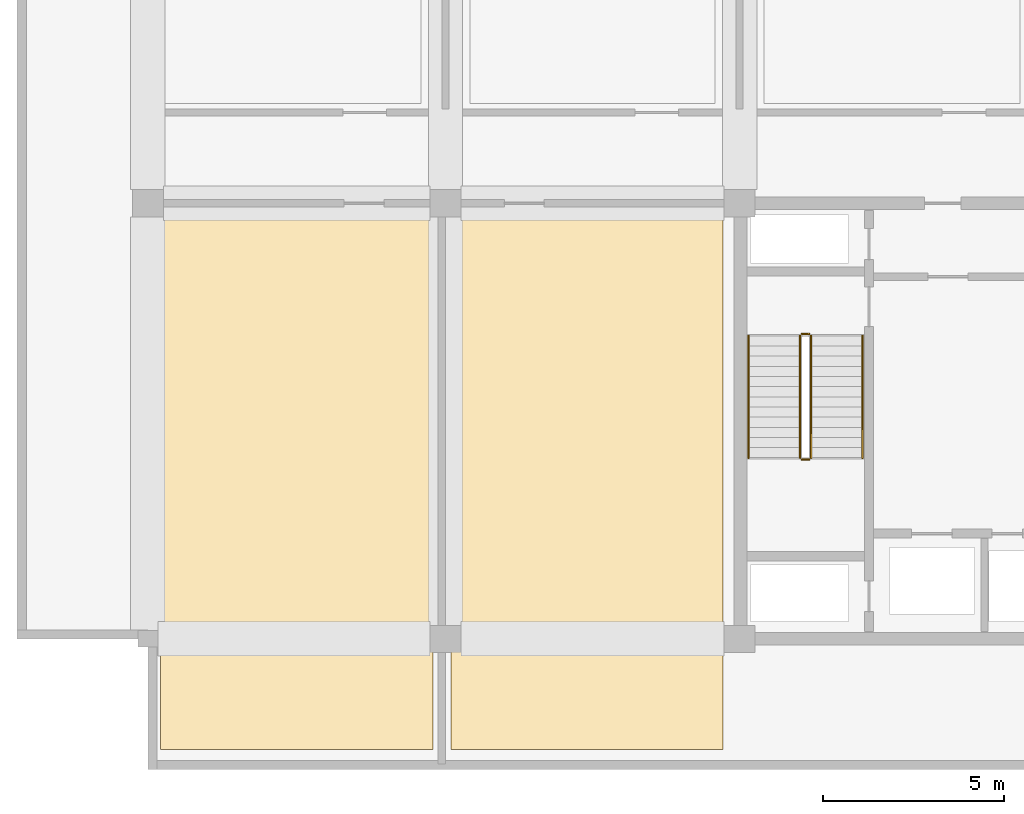
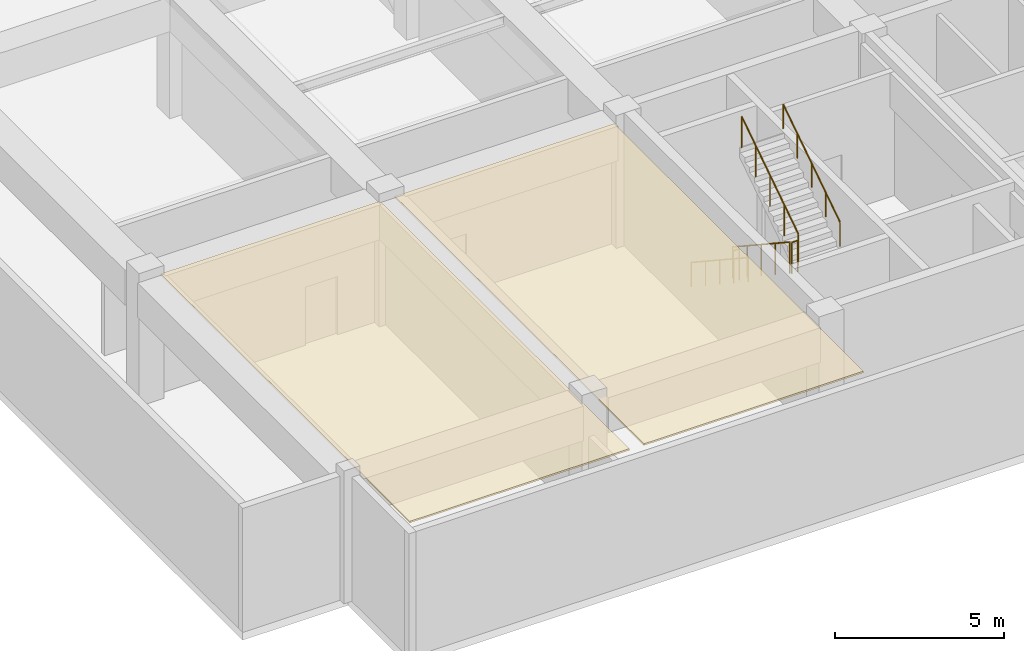
# One storey, part 8 of 11: 6 railings, 2 coverings.
"""IFC4 building model written with IfcOpenShell, lengths in metres."""

from ifc_helpers import new_model, si_unit, direction, frame, origin, origin_2d, place, context, subcontext, project, spatial, polyline, circle, outline, extrude, material, layer, layer_set, type_object, element, save


model = new_model("IFC4")

# Units and contexts
model_context = context("Model", 3, precision=1e-05, world=origin(), true_north=direction((0.0, 1.0)))
body_context = subcontext(model_context, "Body", "Model", "MODEL_VIEW")
ifc_project = project(units=[si_unit("LENGTHUNIT", "METRE"), si_unit("AREAUNIT", "SQUARE_METRE"), si_unit("VOLUMEUNIT", "CUBIC_METRE"), si_unit("PLANEANGLEUNIT", "RADIAN"), si_unit("MASSUNIT", "GRAM", prefix="KILO")], contexts=[model_context])

# Site, building, storey
site_placement = place(None, origin())
site = spatial("IfcSite", under=ifc_project, at=site_placement, CompositionType="ELEMENT")
building_placement = place(site_placement, origin())
building = spatial("IfcBuilding", under=site, at=building_placement, Name="Korimba Cascade Residences", CompositionType="ELEMENT")
storey_placement = place(building_placement, frame((0.0, 0.0, 223.85009765625)))
storey = spatial("IfcBuildingStorey", under=building, at=storey_placement, Name="L65", CompositionType="ELEMENT", Elevation=223.85009765625)

# Coverings
ifc_material_1 = material(Name="Mineral Wool Thermal Acoustic Insulation", Category="insulation")
ifc_layer = layer(ifc_material_1, 0.06005859375)
ifc_layer_set = layer_set([ifc_layer], Name="Mineral Wool Thermal Acoustic Insulation")
covering_type = type_object("IfcCoveringType", Name="COV-INS-60", PredefinedType="INSULATION", material=ifc_layer_set)
covering_1_placement = place(storey_placement, frame((0.0, 0.0, 4.419921875)))
element("IfcCovering", 1, at=covering_1_placement, inside=storey, type_object=covering_type, Name="L65 Mineral Wool Acoustic Soffit Insulation L65-RWW1", PredefinedType="INSULATION", context=body_context, shape_type="SweptSolid", body=[
    extrude(outline(polyline([(60.14990234375, 52.14990234375), (67.64990234375, 52.14990234375), (67.64990234375, 66.89990234375), (60.14990234375, 66.89990234375), (60.14990234375, 52.14990234375)])), origin(), (0.0, 0.0, 1.0), 0.06005859375),
])
covering_2_placement = place(storey_placement, frame((0.0, 0.0, 4.419921875)))
element("IfcCovering", 2, at=covering_2_placement, inside=storey, type_object=covering_type, Name="L65 Mineral Wool Acoustic Soffit Insulation L65-RWW2", PredefinedType="INSULATION", context=body_context, shape_type="SweptSolid", body=[
    extrude(outline(polyline([(68.14990234375, 52.14990234375), (75.64990234375, 52.14990234375), (75.64990234375, 66.89990234375), (68.14990234375, 66.89990234375), (68.14990234375, 52.14990234375)])), origin(), (0.0, 0.0, 1.0), 0.06005859375),
])

# Railings
ifc_material_2 = material(Name="Painted Steel Stairwell Guardrail", Category="steel")
railing_type_1 = type_object("IfcRailingType", Name="RLG-ST-GD1150", PredefinedType="GUARDRAIL", material=ifc_material_2)
railing_1_placement = place(storey_placement, frame((77.77001953125, 63.550048828125, 0.1845703125)))
element("IfcRailing", 3, at=railing_1_placement, inside=storey, type_object=railing_type_1, Name="L65 ST-W1 stair guard 1", PredefinedType="GUARDRAIL", context=body_context, shape_type="SweptSolid", body=[
    extrude(circle(Radius=0.02392578125, at=origin_2d()), frame((0.0, 0.0, 1.1259765625), z_axis=(0.0, -0.834876476806, 0.550437342915), x_axis=(1.0, 0.0, 0.0)), (0.0, 0.0, 1.0), 4.024658203125),
    extrude(circle(Radius=0.02099609375, at=origin_2d()), origin(), (0.0, 0.0, 1.0), 1.101806640625),
    extrude(circle(Radius=0.02099609375, at=origin_2d()), frame((0.0, -0.840087890625, 0.5537109375)), (0.0, 0.0, 1.0), 1.101806640625),
    extrude(circle(Radius=0.02099609375, at=origin_2d()), frame((0.0, -1.68017578125, 1.107666015625)), (0.0, 0.0, 1.0), 1.101806640625),
    extrude(circle(Radius=0.02099609375, at=origin_2d()), frame((0.0, -2.52001953125, 1.66162109375)), (0.0, 0.0, 1.0), 1.101806640625),
    extrude(circle(Radius=0.02099609375, at=origin_2d()), frame((0.0, -3.360107421875, 2.21533203125)), (0.0, 0.0, 1.0), 1.101806640625),
])
railing_2_placement = place(storey_placement, frame((77.820068359375, 60.139892578125, 2.39990234375)))
element("IfcRailing", 4, at=railing_2_placement, inside=storey, type_object=railing_type_1, Name="L65 ST-W1 stair guard 2", PredefinedType="GUARDRAIL", context=body_context, shape_type="SweptSolid", body=[
    extrude(circle(Radius=0.02392578125, at=origin_2d()), frame((0.0, 0.0, 1.1259765625), z_axis=(1.0, 0.0, 0.0), x_axis=(0.0, 1.0, 0.0)), (0.0, 0.0, 1.0), 0.199951171875),
    extrude(circle(Radius=0.02099609375, at=origin_2d()), origin(), (0.0, 0.0, 1.0), 1.101806640625),
    extrude(circle(Radius=0.02099609375, at=origin_2d()), frame((0.199951171875, 0.0, 0.0)), (0.0, 0.0, 1.0), 1.101806640625),
])
railing_3_placement = place(storey_placement, frame((78.070068359375, 60.18994140625, 2.58447265625)))
element("IfcRailing", 5, at=railing_3_placement, inside=storey, type_object=railing_type_1, Name="L65 ST-W1 stair guard 3", PredefinedType="GUARDRAIL", context=body_context, shape_type="SweptSolid", body=[
    extrude(circle(Radius=0.02392578125, at=origin_2d()), frame((0.0, 0.0, 1.1259765625), z_axis=(0.0, 0.834876476806, 0.550437342915), x_axis=(-1.0, 0.0, 0.0)), (0.0, 0.0, 1.0), 4.024658203125),
    extrude(circle(Radius=0.02099609375, at=origin_2d()), origin(), (0.0, 0.0, 1.0), 1.101806640625),
    extrude(circle(Radius=0.02099609375, at=origin_2d()), frame((0.0, 0.840087890625, 0.5537109375)), (0.0, 0.0, 1.0), 1.101806640625),
    extrude(circle(Radius=0.02099609375, at=origin_2d()), frame((0.0, 1.68017578125, 1.107666015625)), (0.0, 0.0, 1.0), 1.101806640625),
    extrude(circle(Radius=0.02099609375, at=origin_2d()), frame((0.0, 2.52001953125, 1.66162109375)), (0.0, 0.0, 1.0), 1.101806640625),
    extrude(circle(Radius=0.02099609375, at=origin_2d()), frame((0.0, 3.360107421875, 2.21533203125)), (0.0, 0.0, 1.0), 1.101806640625),
])
railing_4_placement = place(storey_placement, frame((77.820068359375, 63.60009765625, 0.0)))
element("IfcRailing", 6, at=railing_4_placement, inside=storey, type_object=railing_type_1, Name="L65 ST-W1 stair guard 4", PredefinedType="GUARDRAIL", context=body_context, shape_type="SweptSolid", body=[
    extrude(circle(Radius=0.02392578125, at=origin_2d()), frame((0.0, 0.0, 1.1259765625), z_axis=(1.0, 0.0, 0.0), x_axis=(0.0, 1.0, 0.0)), (0.0, 0.0, 1.0), 0.199951171875),
    extrude(circle(Radius=0.02099609375, at=origin_2d()), origin(), (0.0, 0.0, 1.0), 1.101806640625),
    extrude(circle(Radius=0.02099609375, at=origin_2d()), frame((0.199951171875, 0.0, 0.0)), (0.0, 0.0, 1.0), 1.101806640625),
])
ifc_material_3 = material(Name="Brushed Stainless Steel Handrail", Category="steel")
railing_type_2 = type_object("IfcRailingType", Name="RLG-ST-HR900", PredefinedType="HANDRAIL", material=ifc_material_3)
railing_5_placement = place(storey_placement, frame((76.35009765625, 63.550048828125, 0.373046875)))
element("IfcRailing", 7, at=railing_5_placement, inside=storey, type_object=railing_type_2, Name="L65 ST-W1 stair handrail 1", PredefinedType="HANDRAIL", context=body_context, shape_type="SweptSolid", body=[
    extrude(circle(Radius=0.02392578125, at=origin_2d()), frame((0.0, 0.0, 0.8759765625), z_axis=(0.0, -0.834876476806, 0.550437342915), x_axis=(1.0, 0.0, 0.0)), (0.0, 0.0, 1.0), 4.024658203125),
    extrude(circle(Radius=0.02099609375, at=origin_2d()), origin(), (0.0, 0.0, 1.0), 0.851806640625),
    extrude(circle(Radius=0.02099609375, at=origin_2d()), frame((0.0, -0.840087890625, 0.5537109375)), (0.0, 0.0, 1.0), 0.851806640625),
    extrude(circle(Radius=0.02099609375, at=origin_2d()), frame((0.0, -1.68017578125, 1.107666015625)), (0.0, 0.0, 1.0), 0.851806640625),
    extrude(circle(Radius=0.02099609375, at=origin_2d()), frame((0.0, -2.52001953125, 1.66162109375)), (0.0, 0.0, 1.0), 0.851806640625),
    extrude(circle(Radius=0.02099609375, at=origin_2d()), frame((0.0, -3.360107421875, 2.21533203125)), (0.0, 0.0, 1.0), 0.851806640625),
])
railing_6_placement = place(storey_placement, frame((79.489990234375, 60.18994140625, 2.773193359375)))
element("IfcRailing", 8, at=railing_6_placement, inside=storey, type_object=railing_type_2, Name="L65 ST-W1 stair handrail 2", PredefinedType="HANDRAIL", context=body_context, shape_type="SweptSolid", body=[
    extrude(circle(Radius=0.02392578125, at=origin_2d()), frame((0.0, 0.0, 0.8759765625), z_axis=(0.0, 0.834876476806, 0.550437342915), x_axis=(-1.0, 0.0, 0.0)), (0.0, 0.0, 1.0), 4.024658203125),
    extrude(circle(Radius=0.02099609375, at=origin_2d()), origin(), (0.0, 0.0, 1.0), 0.851806640625),
    extrude(circle(Radius=0.02099609375, at=origin_2d()), frame((0.0, 0.840087890625, 0.5537109375)), (0.0, 0.0, 1.0), 0.851806640625),
    extrude(circle(Radius=0.02099609375, at=origin_2d()), frame((0.0, 1.68017578125, 1.107666015625)), (0.0, 0.0, 1.0), 0.851806640625),
    extrude(circle(Radius=0.02099609375, at=origin_2d()), frame((0.0, 2.52001953125, 1.66162109375)), (0.0, 0.0, 1.0), 0.851806640625),
    extrude(circle(Radius=0.02099609375, at=origin_2d()), frame((0.0, 3.360107421875, 2.21533203125)), (0.0, 0.0, 1.0), 0.851806640625),
])

save(model, "model.ifc")
